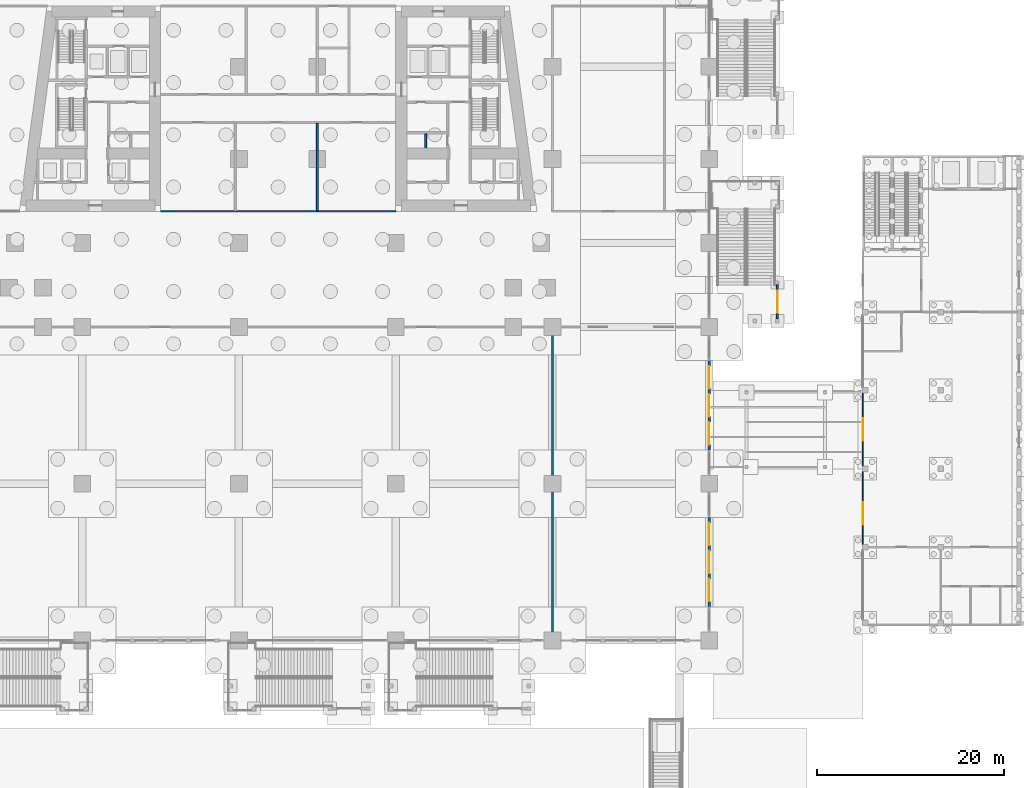
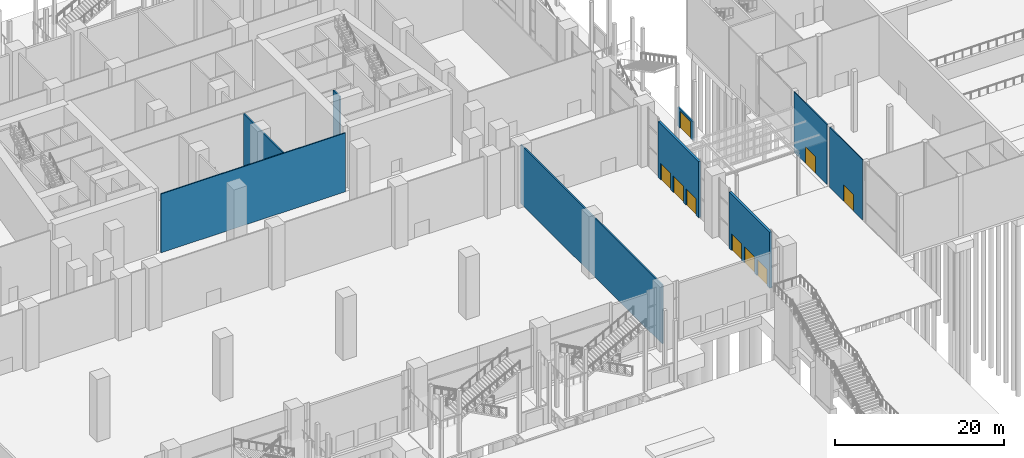
# One storey, part 43 of 72: 9 doors, 9 walls, 9 openings.
"""IFC4 building model written with IfcOpenShell, lengths in metres."""

import ifcopenshell
import ifcopenshell.guid

model = None  # the IFC model being written
_history = None  # IfcOwnerHistory: only IFC2X3 demands one
_inside = {}  # id of a spatial element -> (the spatial element, [elements in it])
_under = {}  # id of a project, library or spatial element -> (it, [spatial elements below it])
_declared = {}  # id of a project -> (the project, [libraries it declares])
_typed = {}  # id of a type object -> (the type object, [elements of that type])
_made_of = {}  # id of a material, layer set ... -> (it, [elements and type objects made of it])


def new_model(schema):
    """Start an empty IFC model of exactly this schema.

    Asked for "IFC4X3", IfcOpenShell would pick the latest addendum, in which some entities
    have other attributes; the version numbers below select the first issue.
    IFC2X3 requires an IfcOwnerHistory on every rooted entity: one is made here for all.
    """
    global model, _history
    if schema == "IFC4X3":
        model = ifcopenshell.file(schema_version=(4, 3, 0, 0))
    else:
        model = ifcopenshell.file(schema=schema)
    _inside.clear()
    _under.clear()
    _declared.clear()
    _typed.clear()
    _made_of.clear()
    _history = None
    if model.schema == "IFC2X3":
        org = make("IfcOrganization", Name="unknown")
        user = make(
            "IfcPersonAndOrganization",
            ThePerson=make("IfcPerson", FamilyName="unknown"),
            TheOrganization=org,
        )
        app = make(
            "IfcApplication",
            ApplicationDeveloper=org,
            Version="unknown",
            ApplicationFullName="unknown",
            ApplicationIdentifier="unknown",
        )
        _history = make(
            "IfcOwnerHistory",
            OwningUser=user,
            OwningApplication=app,
            ChangeAction="ADDED",
            CreationDate=0,
        )
    return model


def make(cls, **values):
    """One entity of the class cls with the attributes given. An attribute that is None is left unset."""
    return model.create_entity(
        cls, **{name: value for name, value in values.items() if value is not None}
    )


def rooted(cls, **values):
    """An entity with a GlobalId (a new one), such as an element, a storey or a relation."""
    return make(cls, GlobalId=ifcopenshell.guid.new(), OwnerHistory=_history, **values)


def si_unit(unit_type, name, prefix=None):
    """IfcSIUnit, for example si_unit("LENGTHUNIT", "METRE", prefix="MILLI")."""
    return make("IfcSIUnit", UnitType=unit_type, Prefix=prefix, Name=name)


def assignment(units):
    """IfcUnitAssignment: the units of a project."""
    return None if units is None else make("IfcUnitAssignment", Units=units)


def point(xyz):
    """IfcCartesianPoint."""
    return None if xyz is None else make("IfcCartesianPoint", Coordinates=xyz)


def direction(xyz):
    """IfcDirection."""
    return None if xyz is None else make("IfcDirection", DirectionRatios=xyz)


def frame(location, z_axis=None, x_axis=None):
    """IfcAxis2Placement3D, a coordinate frame: its origin and axes. An axis left out is left unset."""
    return make(
        "IfcAxis2Placement3D",
        Location=point(location),
        Axis=direction(z_axis),
        RefDirection=direction(x_axis),
    )


def frame_2d(location, x_axis=None):
    """IfcAxis2Placement2D, a coordinate frame in the plane: its origin and x axis."""
    return make(
        "IfcAxis2Placement2D", Location=point(location), RefDirection=direction(x_axis)
    )


def origin():
    """The frame at (0, 0, 0) with its axes left unset."""
    return frame((0.0, 0.0, 0.0))


def place(relative_to, where):
    """IfcLocalPlacement: puts the frame where relative to a parent placement (None: the world)."""
    return make(
        "IfcLocalPlacement", PlacementRelTo=relative_to, RelativePlacement=where
    )


def context(
    kind, dimensions, precision=None, world=None, true_north=None, identifier=None
):
    """IfcGeometricRepresentationContext, for example the 3D "Model" context."""
    return make(
        "IfcGeometricRepresentationContext",
        ContextIdentifier=identifier,
        ContextType=kind,
        CoordinateSpaceDimension=dimensions,
        Precision=precision,
        WorldCoordinateSystem=world,
        TrueNorth=true_north,
    )


def subcontext(parent, identifier, kind, view, scale=None):
    """IfcGeometricRepresentationSubContext, for example "Body" below "Model"."""
    return make(
        "IfcGeometricRepresentationSubContext",
        ContextIdentifier=identifier,
        ContextType=kind,
        ParentContext=parent,
        TargetScale=scale,
        TargetView=view,
    )


def project(units=None, contexts=None):
    """IfcProject with its units and contexts."""
    return rooted(
        "IfcProject",
        Name="project",
        RepresentationContexts=contexts,
        UnitsInContext=assignment(units),
    )


def spatial(cls, under=None, at=None, **own):
    """A site, building, storey or space (cls), placed at a placement, below another one or the project."""
    s = rooted(cls, ObjectPlacement=at, **own)
    if under is not None:
        _under.setdefault(under.id(), (under, []))[1].append(s)
    return s


def profile(cls, at=None, kind="AREA", **sizes):
    """A parametric profile (cls). Its sizes go by their IFC names, for example OverallWidth=200.0."""
    return make(cls, ProfileType=kind, Position=at, **sizes)


def rectangle(**sizes):
    """IfcRectangleProfileDef."""
    return profile("IfcRectangleProfileDef", **sizes)


def extrude(swept, where, along, depth):
    """IfcExtrudedAreaSolid: the profile swept, set in the frame where, extruded along a direction by depth."""
    return make(
        "IfcExtrudedAreaSolid",
        SweptArea=swept,
        Position=where,
        ExtrudedDirection=direction(along),
        Depth=depth,
    )


def shape(context_of_items, identifier, shape_type, items):
    """IfcShapeRepresentation: the items that make up one representation, for example the "Body"."""
    return make(
        "IfcShapeRepresentation",
        ContextOfItems=context_of_items,
        RepresentationIdentifier=identifier,
        RepresentationType=shape_type,
        Items=items,
    )


def material(Name=None, Category=None):
    """IfcMaterial."""
    return make("IfcMaterial", Name=Name, Category=Category)


def layer(
    of_material, thickness, ventilated=None, Name=None, Category=None, Priority=None
):
    """IfcMaterialLayer: one layer of a wall or slab, of a material (None: an air gap)."""
    return make(
        "IfcMaterialLayer",
        Material=of_material,
        LayerThickness=thickness,
        IsVentilated=ventilated,
        Name=Name,
        Category=Category,
        Priority=Priority,
    )


def layer_set(layers, Name=None):
    """IfcMaterialLayerSet."""
    return make("IfcMaterialLayerSet", MaterialLayers=layers, LayerSetName=Name)


def made_of(thing, what):
    """Note that an element or type object is made of a material, layer set ...; save() writes the relation."""
    if what is not None:
        _made_of.setdefault(what.id(), (what, []))[1].append(thing)
    return thing


def type_object(cls, material=None, **own):
    """A type object (cls), such as IfcWallType, which elements share."""
    return made_of(rooted(cls, **own), material)


def element(
    cls,
    number,
    at=None,
    inside=None,
    cuts=None,
    type_object=None,
    material=None,
    context=None,
    identifier="Body",
    shape_type=None,
    held_by="IfcProductDefinitionShape",
    body=None,
    shapes=None,
    **own,
):
    """One element of the class cls, such as IfcWall. Its Tag is "e" and its number.

    at: its placement. inside: the storey or other place that contains it. cuts: it is an
    opening in that element (IfcRelVoidsElement). A single representation is given by context,
    identifier, shape_type and body (its items); several are given by shapes. held_by: the class
    of the entity that holds the representations. save() writes the other relations.
    """
    e = rooted(cls, Tag="e%d" % number, ObjectPlacement=at, **own)
    if body is not None:
        shapes = [shape(context, identifier, shape_type, body)]
    if shapes is not None:
        e.Representation = make(held_by, Representations=shapes)
    if inside is not None:
        _inside.setdefault(inside.id(), (inside, []))[1].append(e)
    if cuts is not None:
        rooted(
            "IfcRelVoidsElement", RelatingBuildingElement=cuts, RelatedOpeningElement=e
        )
    if type_object is not None:
        _typed.setdefault(type_object.id(), (type_object, []))[1].append(e)
    return made_of(e, material)


def fill(opening, filler):
    """IfcRelFillsElement: the door or window that sits in an opening."""
    return rooted(
        "IfcRelFillsElement",
        RelatingOpeningElement=opening,
        RelatedBuildingElement=filler,
    )


def aggregate(whole, parts):
    """IfcRelAggregates: a whole, such as a stair, and the parts it consists of."""
    return rooted("IfcRelAggregates", RelatingObject=whole, RelatedObjects=parts)


def save(model, path):
    """Write the relations noted so far, then the file.

    IfcRelAggregates (storeys below a building ...), IfcRelContainedInSpatialStructure (elements
    in a storey), IfcRelDefinesByType, IfcRelAssociatesMaterial and IfcRelDeclares: one each for
    every whole, place, type object, material and project.
    """
    for whole, parts in _under.values():
        aggregate(whole, parts)
    for where, things in _inside.values():
        rooted(
            "IfcRelContainedInSpatialStructure",
            RelatedElements=things,
            RelatingStructure=where,
        )
    for kind, things in _typed.values():
        rooted("IfcRelDefinesByType", RelatedObjects=things, RelatingType=kind)
    for what, things in _made_of.values():
        rooted("IfcRelAssociatesMaterial", RelatedObjects=things, RelatingMaterial=what)
    for by, libraries in _declared.values():
        rooted("IfcRelDeclares", RelatingContext=by, RelatedDefinitions=libraries)
    model.write(path)


model = new_model("IFC4")

# Units and contexts
model_context = context("Model", 3, precision=1e-05, world=origin(), true_north=direction((0.0, 1.0)))
body_context = subcontext(model_context, "Body", "Model", "MODEL_VIEW")
ifc_project = project(units=[si_unit("LENGTHUNIT", "METRE"), si_unit("AREAUNIT", "SQUARE_METRE"), si_unit("VOLUMEUNIT", "CUBIC_METRE"), si_unit("PLANEANGLEUNIT", "RADIAN"), si_unit("MASSUNIT", "GRAM", prefix="KILO")], contexts=[model_context])

# Site, building, storey
site_placement = place(None, origin())
site = spatial("IfcSite", under=ifc_project, at=site_placement, CompositionType="ELEMENT")
building_placement = place(site_placement, origin())
building = spatial("IfcBuilding", under=site, at=building_placement, Name="Candeia Pilgrim Tower and Theatre", CompositionType="ELEMENT")
storey_placement = place(building_placement, origin())
storey = spatial("IfcBuildingStorey", under=building, at=storey_placement, Name="L00", CompositionType="ELEMENT", Elevation=0.0)

# Wall, openings, doors
ifc_material_1 = material(Name="Ceramic block masonry", Category="masonry")
ifc_layer_1 = layer(ifc_material_1, 0.300048828125)
ifc_layer_set_1 = layer_set([ifc_layer_1], Name="EW2 entrance infill wall 300")
wall_type_1 = type_object("IfcWallType", Name="EW2 entrance infill wall 300", PredefinedType="SOLIDWALL", material=ifc_layer_set_1)
wall_1_placement = place(storey_placement, frame((159.60009765625, 94.39990234375, 0.0), z_axis=(0.0, 0.0, 1.0), x_axis=(0.0, -1.0, 0.0)))
wall_1 = element("IfcWall", 1, at=wall_1_placement, inside=storey, type_object=wall_type_1, Name="Entrance wall L00", PredefinedType="SOLIDWALL", context=body_context, shape_type="SweptSolid", body=[
    extrude(rectangle(XDim=9.599853515625, YDim=0.300048828125, at=frame_2d((4.7998046875, 0.0))), origin(), (0.0, 0.0, 1.0), 8.10009765625),
])
opening_1_placement = place(wall_1_placement, frame((0.60009765625, 0.0, 0.0)))
opening_1 = element("IfcOpeningElement", 2, at=opening_1_placement, cuts=wall_1, Name="Opening L00-ED009", PredefinedType="OPENING", context=body_context, shape_type="SweptSolid", body=[
    extrude(rectangle(XDim=2.39990234375, YDim=2.39990234375, at=frame_2d((1.199951171875, 1.199951171875))), frame((0.0, 0.16015625, 0.0), z_axis=(0.0, -1.0, 0.0), x_axis=(1.0, 0.0, 0.0)), (0.0, 0.0, 1.0), 0.320068359375),
])
opening_2_placement = place(wall_1_placement, frame((3.60009765625, 0.0, 0.0)))
opening_2 = element("IfcOpeningElement", 3, at=opening_2_placement, cuts=wall_1, Name="Opening L00-ED010", PredefinedType="OPENING", context=body_context, shape_type="SweptSolid", body=[
    extrude(rectangle(XDim=2.39990234375, YDim=2.39990234375, at=frame_2d((1.199951171875, 1.199951171875))), frame((0.0, 0.16015625, 0.0), z_axis=(0.0, -1.0, 0.0), x_axis=(1.0, 0.0, 0.0)), (0.0, 0.0, 1.0), 0.320068359375),
])
opening_3_placement = place(wall_1_placement, frame((6.60009765625, 0.0, 0.0)))
opening_3 = element("IfcOpeningElement", 4, at=opening_3_placement, cuts=wall_1, Name="Opening L00-ED011", PredefinedType="OPENING", context=body_context, shape_type="SweptSolid", body=[
    extrude(rectangle(XDim=2.39990234375, YDim=2.39990234375, at=frame_2d((1.199951171875, 1.199951171875))), frame((0.0, 0.16015625, 0.0), z_axis=(0.0, -1.0, 0.0), x_axis=(1.0, 0.0, 0.0)), (0.0, 0.0, 1.0), 0.320068359375),
])
ifc_material_2 = material(Name="Aluminium framed glazed door", Category="aluminium")
door_type_1 = type_object("IfcDoorType", Name="ED entrance double door 2400x2400", OperationType="DOUBLE_DOOR_DOUBLE_SWING", PredefinedType="DOOR", material=ifc_material_2)
door_1_placement = place(opening_1_placement, origin())
door_1 = element("IfcDoor", 5, at=door_1_placement, inside=storey, type_object=door_type_1, Name="Entrance door L00-ED009", OperationType="DOUBLE_DOOR_DOUBLE_SWING", OverallHeight=2.39990234375, OverallWidth=2.39990234375, PredefinedType="DOOR", context=body_context, shape_type="SweptSolid", body=[
    extrude(rectangle(XDim=2.39990234375, YDim=2.39990234375, at=frame_2d((1.199951171875, 1.199951171875))), frame((0.0, 0.02490234375, 0.0), z_axis=(0.0, -1.0, 0.0), x_axis=(1.0, 0.0, 0.0)), (0.0, 0.0, 1.0), 0.050048828125),
])
fill(opening_1, door_1)
door_2_placement = place(opening_2_placement, origin())
door_2 = element("IfcDoor", 6, at=door_2_placement, inside=storey, type_object=door_type_1, Name="Entrance door L00-ED010", OperationType="DOUBLE_DOOR_DOUBLE_SWING", OverallHeight=2.39990234375, OverallWidth=2.39990234375, PredefinedType="DOOR", context=body_context, shape_type="SweptSolid", body=[
    extrude(rectangle(XDim=2.39990234375, YDim=2.39990234375, at=frame_2d((1.199951171875, 1.199951171875))), frame((0.0, 0.02490234375, 0.0), z_axis=(0.0, -1.0, 0.0), x_axis=(1.0, 0.0, 0.0)), (0.0, 0.0, 1.0), 0.050048828125),
])
fill(opening_2, door_2)
door_3_placement = place(opening_3_placement, origin())
door_3 = element("IfcDoor", 7, at=door_3_placement, inside=storey, type_object=door_type_1, Name="Entrance door L00-ED011", OperationType="DOUBLE_DOOR_DOUBLE_SWING", OverallHeight=2.39990234375, OverallWidth=2.39990234375, PredefinedType="DOOR", context=body_context, shape_type="SweptSolid", body=[
    extrude(rectangle(XDim=2.39990234375, YDim=2.39990234375, at=frame_2d((1.199951171875, 1.199951171875))), frame((0.0, 0.02490234375, 0.0), z_axis=(0.0, -1.0, 0.0), x_axis=(1.0, 0.0, 0.0)), (0.0, 0.0, 1.0), 0.050048828125),
])
fill(opening_3, door_3)

wall_2_placement = place(storey_placement, frame((159.60009765625, 77.60009765625, 0.0), z_axis=(0.0, 0.0, 1.0), x_axis=(0.0, -1.0, 0.0)))
wall_2 = element("IfcWall", 8, at=wall_2_placement, inside=storey, type_object=wall_type_1, Name="Entrance wall L00", PredefinedType="SOLIDWALL", context=body_context, shape_type="SweptSolid", body=[
    extrude(rectangle(XDim=9.60009765625, YDim=0.300048828125, at=frame_2d((4.800048828125, 0.0))), origin(), (0.0, 0.0, 1.0), 8.10009765625),
])
opening_4_placement = place(wall_2_placement, frame((0.60009765625, 0.0, 0.0)))
opening_4 = element("IfcOpeningElement", 9, at=opening_4_placement, cuts=wall_2, Name="Opening L00-ED012", PredefinedType="OPENING", context=body_context, shape_type="SweptSolid", body=[
    extrude(rectangle(XDim=2.39990234375, YDim=2.39990234375, at=frame_2d((1.199951171875, 1.199951171875))), frame((0.0, 0.16015625, 0.0), z_axis=(0.0, -1.0, 0.0), x_axis=(1.0, 0.0, 0.0)), (0.0, 0.0, 1.0), 0.320068359375),
])
opening_5_placement = place(wall_2_placement, frame((3.60009765625, 0.0, 0.0)))
opening_5 = element("IfcOpeningElement", 10, at=opening_5_placement, cuts=wall_2, Name="Opening L00-ED013", PredefinedType="OPENING", context=body_context, shape_type="SweptSolid", body=[
    extrude(rectangle(XDim=2.39990234375, YDim=2.39990234375, at=frame_2d((1.199951171875, 1.199951171875))), frame((0.0, 0.16015625, 0.0), z_axis=(0.0, -1.0, 0.0), x_axis=(1.0, 0.0, 0.0)), (0.0, 0.0, 1.0), 0.320068359375),
])
opening_6_placement = place(wall_2_placement, frame((6.60009765625, 0.0, 0.0)))
opening_6 = element("IfcOpeningElement", 11, at=opening_6_placement, cuts=wall_2, Name="Opening L00-ED014", PredefinedType="OPENING", context=body_context, shape_type="SweptSolid", body=[
    extrude(rectangle(XDim=2.39990234375, YDim=2.39990234375, at=frame_2d((1.199951171875, 1.199951171875))), frame((0.0, 0.16015625, 0.0), z_axis=(0.0, -1.0, 0.0), x_axis=(1.0, 0.0, 0.0)), (0.0, 0.0, 1.0), 0.320068359375),
])
door_4_placement = place(opening_4_placement, origin())
door_4 = element("IfcDoor", 12, at=door_4_placement, inside=storey, type_object=door_type_1, Name="Entrance door L00-ED012", OperationType="DOUBLE_DOOR_DOUBLE_SWING", OverallHeight=2.39990234375, OverallWidth=2.39990234375, PredefinedType="DOOR", context=body_context, shape_type="SweptSolid", body=[
    extrude(rectangle(XDim=2.39990234375, YDim=2.39990234375, at=frame_2d((1.199951171875, 1.199951171875))), frame((0.0, 0.02490234375, 0.0), z_axis=(0.0, -1.0, 0.0), x_axis=(1.0, 0.0, 0.0)), (0.0, 0.0, 1.0), 0.050048828125),
])
fill(opening_4, door_4)
door_5_placement = place(opening_5_placement, origin())
door_5 = element("IfcDoor", 13, at=door_5_placement, inside=storey, type_object=door_type_1, Name="Entrance door L00-ED013", OperationType="DOUBLE_DOOR_DOUBLE_SWING", OverallHeight=2.39990234375, OverallWidth=2.39990234375, PredefinedType="DOOR", context=body_context, shape_type="SweptSolid", body=[
    extrude(rectangle(XDim=2.39990234375, YDim=2.39990234375, at=frame_2d((1.199951171875, 1.199951171875))), frame((0.0, 0.02490234375, 0.0), z_axis=(0.0, -1.0, 0.0), x_axis=(1.0, 0.0, 0.0)), (0.0, 0.0, 1.0), 0.050048828125),
])
fill(opening_5, door_5)
door_6_placement = place(opening_6_placement, origin())
door_6 = element("IfcDoor", 14, at=door_6_placement, inside=storey, type_object=door_type_1, Name="Entrance door L00-ED014", OperationType="DOUBLE_DOOR_DOUBLE_SWING", OverallHeight=2.39990234375, OverallWidth=2.39990234375, PredefinedType="DOOR", context=body_context, shape_type="SweptSolid", body=[
    extrude(rectangle(XDim=2.39990234375, YDim=2.39990234375, at=frame_2d((1.199951171875, 1.199951171875))), frame((0.0, 0.02490234375, 0.0), z_axis=(0.0, -1.0, 0.0), x_axis=(1.0, 0.0, 0.0)), (0.0, 0.0, 1.0), 0.050048828125),
])
fill(opening_6, door_6)

# Wall, opening, door
ifc_material_3 = material(Name="Concrete C35/45", Category="concrete")
ifc_layer_2 = layer(ifc_material_3, 0.199951171875)
ifc_layer_set_2 = layer_set([ifc_layer_2], Name="Escape stair gate wall 200")
wall_type_2 = type_object("IfcWallType", Name="Escape stair gate wall 200", PredefinedType="SOLIDWALL", material=ifc_layer_set_2)
wall_3_placement = place(storey_placement, frame((166.89990234375, 102.5, 0.0), z_axis=(0.0, 0.0, 1.0), x_axis=(0.0, -1.0, 0.0)))
wall_3 = element("IfcWall", 15, at=wall_3_placement, inside=storey, type_object=wall_type_2, Name="External escape stair ES1 gate wall", PredefinedType="SOLIDWALL", context=body_context, shape_type="SweptSolid", body=[
    extrude(rectangle(XDim=3.60009765625, YDim=0.199951171875, at=frame_2d((1.800048828125, 0.0))), origin(), (0.0, 0.0, 1.0), 2.699951171875),
])
opening_7_placement = place(wall_3_placement, frame((0.60009765625, 0.0, 0.0)))
opening_7 = element("IfcOpeningElement", 16, at=opening_7_placement, cuts=wall_3, Name="Opening XG-1", PredefinedType="OPENING", context=body_context, shape_type="SweptSolid", body=[
    extrude(rectangle(XDim=2.39990234375, YDim=2.39990234375, at=frame_2d((1.199951171875, 1.199951171875))), frame((0.0, 0.10986328125, 0.0), z_axis=(0.0, -1.0, 0.0), x_axis=(1.0, 0.0, 0.0)), (0.0, 0.0, 1.0), 0.219970703125),
])
door_7_placement = place(opening_7_placement, origin())
door_7 = element("IfcDoor", 17, at=door_7_placement, inside=storey, type_object=door_type_1, Name="Final exit door ES1", OperationType="DOUBLE_DOOR_DOUBLE_SWING", OverallHeight=2.39990234375, OverallWidth=2.39990234375, PredefinedType="DOOR", context=body_context, shape_type="SweptSolid", body=[
    extrude(rectangle(XDim=2.39990234375, YDim=2.39990234375, at=frame_2d((1.199951171875, 1.199951171875))), frame((0.0, 0.02490234375, 0.0), z_axis=(0.0, -1.0, 0.0), x_axis=(1.0, 0.0, 0.0)), (0.0, 0.0, 1.0), 0.050048828125),
])
fill(opening_7, door_7)

# Walls
ifc_material_4 = material(Name="Gypsum board partition on steel studs", Category="steel")
ifc_layer_3 = layer(ifc_material_4, 0.14990234375)
ifc_layer_set_3 = layer_set([ifc_layer_3], Name="PW-150 lobby wall")
wall_type_3 = type_object("IfcWallType", Name="PW-150 lobby wall", PredefinedType="PARTITIONING", material=ifc_layer_set_3)
wall_4_placement = place(storey_placement, frame((100.800048828125, 110.39990234375, 0.0), z_axis=(0.0, 0.0, 1.0), x_axis=(1.0, 0.0, 0.0)))
element("IfcWall", 18, at=wall_4_placement, inside=storey, type_object=wall_type_3, Name="Lobby wall L00-003", PredefinedType="PARTITIONING", context=body_context, shape_type="SweptSolid", body=[
    extrude(rectangle(XDim=25.199951171875, YDim=0.14990234375, at=frame_2d((12.60009765625, 0.0))), origin(), (0.0, 0.0, 1.0), 8.5),
])
ifc_layer_4 = layer(ifc_material_4, 0.199951171875)
ifc_layer_set_4 = layer_set([ifc_layer_4], Name="PW-200 party wall")
wall_type_4 = type_object("IfcWallType", Name="PW-200 party wall", PredefinedType="PARTITIONING", material=ifc_layer_set_4)
wall_5_placement = place(storey_placement, frame((117.60009765625, 110.47509765625, 0.0), z_axis=(0.0, 0.0, 1.0), x_axis=(0.0, 1.0, 0.0)))
element("IfcWall", 19, at=wall_5_placement, inside=storey, type_object=wall_type_4, Name="Party wall L00-072", PredefinedType="PARTITIONING", context=body_context, shape_type="SweptSolid", body=[
    extrude(rectangle(XDim=9.349853515625, YDim=0.199951171875, at=frame_2d((4.6748046875, 0.0))), origin(), (0.0, 0.0, 1.0), 8.5),
])
wall_6_placement = place(storey_placement, frame((142.800048828125, 64.449951171875, 0.0), z_axis=(0.0, 0.0, 1.0), x_axis=(0.0, 1.0, 0.0)))
element("IfcWall", 20, at=wall_6_placement, inside=storey, type_object=wall_type_4, Name="Party wall L00-093", PredefinedType="PARTITIONING", context=body_context, shape_type="SweptSolid", body=[
    extrude(rectangle(XDim=33.47509765625, YDim=0.199951171875, at=frame_2d((16.737548828125, 0.0))), origin(), (0.0, 0.0, 1.0), 8.5),
])

# Wall, opening, door
ifc_material_5 = material(Name="Gypsum board on steel studs", Category="steel")
ifc_layer_5 = layer(ifc_material_5, 0.125)
ifc_layer_set_5 = layer_set([ifc_layer_5], Name="Partition 125")
wall_type_5 = type_object("IfcWallType", Name="Partition 125", PredefinedType="PARTITIONING", material=ifc_layer_set_5)
wall_7_placement = place(storey_placement, frame((176.0625, 74.699951171875, 0.0), z_axis=(0.0, 0.0, 1.0), x_axis=(0.0, 1.0, 0.0)))
wall_7 = element("IfcWall", 21, at=wall_7_placement, inside=storey, type_object=wall_type_5, Name="T-L00-W038", PredefinedType="PARTITIONING", context=body_context, shape_type="SweptSolid", body=[
    extrude(rectangle(XDim=7.800048828125, YDim=0.125, at=frame_2d((3.89990234375, 0.0))), origin(), (0.0, 0.0, 1.0), 8.699951171875),
])
opening_8_placement = place(wall_7_placement, frame((2.10009765625, 0.0, 0.0)))
opening_8 = element("IfcOpeningElement", 22, at=opening_8_placement, cuts=wall_7, Name="Opening TD-L00-023", PredefinedType="OPENING", context=body_context, shape_type="SweptSolid", body=[
    extrude(rectangle(XDim=2.39990234375, YDim=2.39990234375, at=frame_2d((1.199951171875, 1.199951171875))), frame((0.0, 0.072509765625, 0.0), z_axis=(0.0, -1.0, 0.0), x_axis=(1.0, 0.0, 0.0)), (0.0, 0.0, 1.0), 0.14501953125),
])
ifc_material_6 = material(Name="Aluminium glazed door", Category="aluminium")
door_type_2 = type_object("IfcDoorType", Name="Door glazed double 2400x2400", OperationType="DOUBLE_DOOR_SINGLE_SWING", PredefinedType="DOOR", material=ifc_material_6)
door_8_placement = place(opening_8_placement, origin())
door_8 = element("IfcDoor", 23, at=door_8_placement, inside=storey, type_object=door_type_2, Name="Door TD-L00-023", OperationType="DOUBLE_DOOR_SINGLE_SWING", OverallHeight=2.39990234375, OverallWidth=2.39990234375, PredefinedType="DOOR", context=body_context, shape_type="SweptSolid", body=[
    extrude(rectangle(XDim=2.39990234375, YDim=2.39990234375, at=frame_2d((1.199951171875, 1.199951171875))), frame((0.0, 0.02490234375, 0.0), z_axis=(0.0, -1.0, 0.0), x_axis=(1.0, 0.0, 0.0)), (0.0, 0.0, 1.0), 0.050048828125),
])
fill(opening_8, door_8)

wall_8_placement = place(storey_placement, frame((176.0625, 83.10009765625, 0.0), z_axis=(0.0, 0.0, 1.0), x_axis=(0.0, 1.0, 0.0)))
wall_8 = element("IfcWall", 24, at=wall_8_placement, inside=storey, type_object=wall_type_5, Name="T-L00-W039", PredefinedType="PARTITIONING", context=body_context, shape_type="SweptSolid", body=[
    extrude(rectangle(XDim=7.7998046875, YDim=0.125, at=frame_2d((3.89990234375, 0.0))), origin(), (0.0, 0.0, 1.0), 8.699951171875),
])
opening_9_placement = place(wall_8_placement, frame((2.699951171875, 0.0, 0.0)))
opening_9 = element("IfcOpeningElement", 25, at=opening_9_placement, cuts=wall_8, Name="Opening TD-L00-022", PredefinedType="OPENING", context=body_context, shape_type="SweptSolid", body=[
    extrude(rectangle(XDim=2.39990234375, YDim=2.39990234375, at=frame_2d((1.199951171875, 1.199951171875))), frame((0.0, 0.072509765625, 0.0), z_axis=(0.0, -1.0, 0.0), x_axis=(1.0, 0.0, 0.0)), (0.0, 0.0, 1.0), 0.14501953125),
])
door_9_placement = place(opening_9_placement, origin())
door_9 = element("IfcDoor", 26, at=door_9_placement, inside=storey, type_object=door_type_2, Name="Door TD-L00-022", OperationType="DOUBLE_DOOR_SINGLE_SWING", OverallHeight=2.39990234375, OverallWidth=2.39990234375, PredefinedType="DOOR", context=body_context, shape_type="SweptSolid", body=[
    extrude(rectangle(XDim=2.39990234375, YDim=2.39990234375, at=frame_2d((1.199951171875, 1.199951171875))), frame((0.0, 0.02490234375, 0.0), z_axis=(0.0, -1.0, 0.0), x_axis=(1.0, 0.0, 0.0)), (0.0, 0.0, 1.0), 0.050048828125),
])
fill(opening_9, door_9)

# Wall
ifc_material_7 = material(Name="Concrete C40/50", Category="concrete")
ifc_layer_6 = layer(ifc_material_7, 0.199951171875)
ifc_layer_set_6 = layer_set([ifc_layer_6], Name="SW-200 shaft wall")
wall_type_6 = type_object("IfcWallType", Name="SW-200 shaft wall", PredefinedType="PARTITIONING", material=ifc_layer_set_6)
wall_9_placement = place(storey_placement, frame((129.199951171875, 117.199951171875, 0.0), z_axis=(0.0, 0.0, 1.0), x_axis=(0.0, 1.0, 0.0)))
element("IfcWall", 27, at=wall_9_placement, inside=storey, type_object=wall_type_6, Name="Shaft wall L00-077", PredefinedType="PARTITIONING", context=body_context, shape_type="SweptSolid", body=[
    extrude(rectangle(XDim=1.5, YDim=0.199951171875, at=frame_2d((0.75, 0.0))), origin(), (0.0, 0.0, 1.0), 8.5),
])

save(model, "model.ifc")
